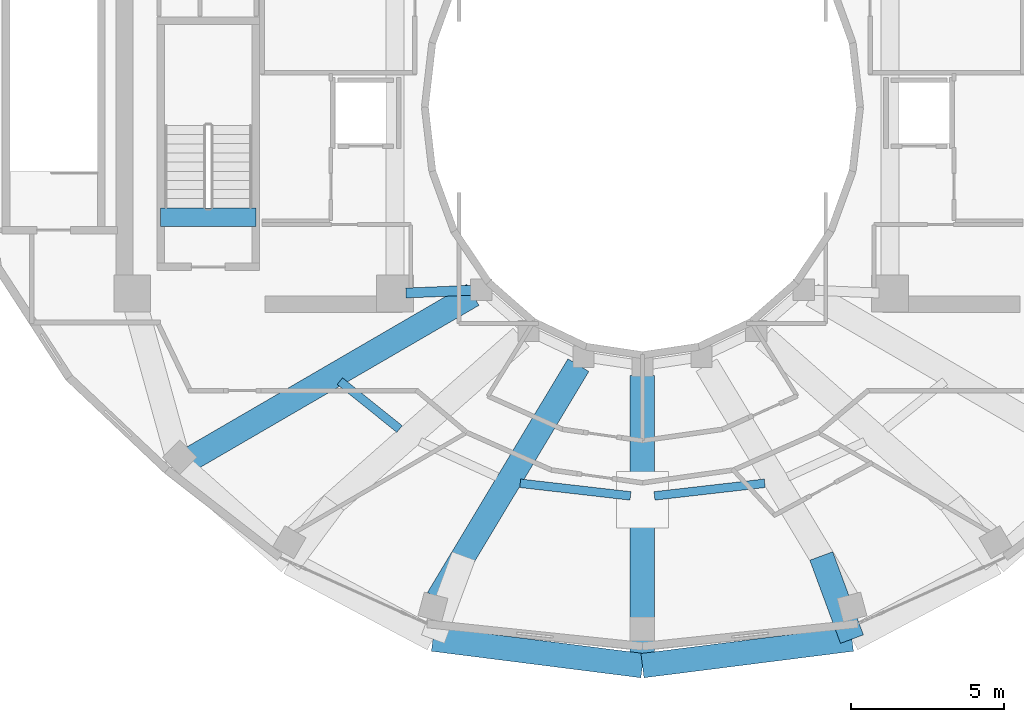
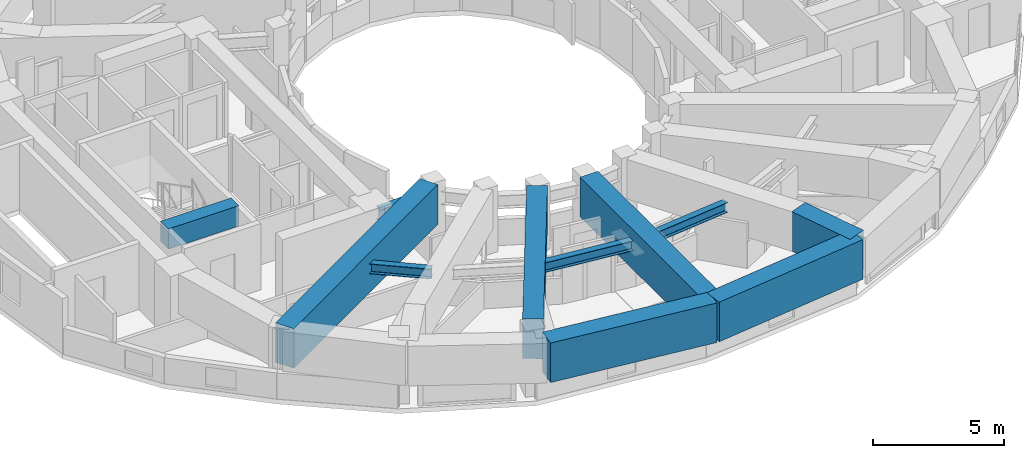
# One storey, part 3 of 20: 11 beams.
"""IFC4 building model written with IfcOpenShell, lengths in metres."""

from ifc_helpers import new_model, si_unit, direction, frame, origin, origin_2d, place, context, subcontext, project, spatial, rectangle, i_section, extrude, material, material_profile, profile_set, type_object, element, save


model = new_model("IFC4")

# Units and contexts
model_context = context("Model", 3, precision=1e-05, world=origin(), true_north=direction((0.0, 1.0)))
body_context = subcontext(model_context, "Body", "Model", "MODEL_VIEW")
ifc_project = project(units=[si_unit("LENGTHUNIT", "METRE"), si_unit("AREAUNIT", "SQUARE_METRE"), si_unit("VOLUMEUNIT", "CUBIC_METRE"), si_unit("PLANEANGLEUNIT", "RADIAN"), si_unit("MASSUNIT", "GRAM", prefix="KILO")], contexts=[model_context])

# Site, building, storey
site_placement = place(None, origin())
site = spatial("IfcSite", under=ifc_project, at=site_placement, CompositionType="ELEMENT")
building_placement = place(site_placement, origin())
building = spatial("IfcBuilding", under=site, at=building_placement, Name="Solvane Sanctuary Tower", CompositionType="ELEMENT")
storey_placement = place(building_placement, frame((0.0, 0.0, 217.10009765625)))
storey = spatial("IfcBuildingStorey", under=building, at=storey_placement, Name="L66", CompositionType="ELEMENT", Elevation=217.10009765625)

# Beams
ifc_material_1 = material(Name="Concrete C70/85", Category="concrete")
ifc_material_profile_1 = material_profile(ifc_material_1, rectangle(XDim=0.60009765625, YDim=0.949951171875, at=origin_2d()), Name="RC600X950")
ifc_profile_set_1 = profile_set([ifc_material_profile_1], Name="Concrete C70/85")
beam_type_1 = type_object("IfcBeamType", Name="Beam B-COUPLE RC600X950", PredefinedType="LINTEL", material=ifc_profile_set_1)
beam_1_placement = place(storey_placement, frame((16.22998046875, 19.399169921875, 2.625), z_axis=(1.0, 0.0, 0.0), x_axis=(0.0, 1.0, 0.0)))
element("IfcBeam", 1, at=beam_1_placement, inside=storey, type_object=beam_type_1, Name="L66 ST-1 Stair Floor Landing Trimmer", PredefinedType="LINTEL", context=body_context, shape_type="SweptSolid", body=[
    extrude(rectangle(XDim=0.60009765625, YDim=0.949951171875, at=origin_2d()), origin(), (0.0, 0.0, 1.0), 3.1201171875),
])
ifc_material_2 = material(Name="Steel ASTM A992 Grade 50", Category="steel")
ifc_material_profile_2 = material_profile(ifc_material_2, i_section(OverallWidth=0.324951171875, OverallDepth=0.615966796875, WebThickness=0.013916015625, FlangeThickness=0.021484375, FilletRadius=0.01611328125, at=origin_2d()), Name="W24X117")
ifc_profile_set_2 = profile_set([ifc_material_profile_2], Name="Steel ASTM A992 Grade 50")
beam_type_2 = type_object("IfcBeamType", Name="Beam B-RING-IN2 W24X117", PredefinedType="BEAM", material=ifc_profile_set_2)
beam_2_placement = place(storey_placement, frame((24.259765625, 16.9150390625, 2.289794921875), z_axis=(0.999129127803, 0.041725124022, 0.0), x_axis=(-0.041725124022, 0.999129127803, 0.0)))
element("IfcBeam", 2, at=beam_2_placement, inside=storey, type_object=beam_type_2, Name="L66 Inner Light-Well Ring Beam CW2-IC08", PredefinedType="BEAM", context=body_context, shape_type="SweptSolid", body=[
    extrude(i_section(OverallWidth=0.324951171875, OverallDepth=0.615966796875, WebThickness=0.013916015625, FlangeThickness=0.021484375, FilletRadius=0.01611328125, at=origin_2d()), origin(), (0.0, 0.0, 1.0), 2.1474609375),
])
ifc_material_profile_3 = material_profile(ifc_material_2, i_section(OverallWidth=0.280029296875, OverallDepth=0.462890625, WebThickness=0.0107421875, FlangeThickness=0.017333984375, FilletRadius=0.013916015625, at=origin_2d()), Name="W18X76")
ifc_profile_set_3 = profile_set([ifc_material_profile_3], Name="Steel ASTM A992 Grade 50")
beam_type_3 = type_object("IfcBeamType", Name="Beam B-SEC-JOIST W18X76", PredefinedType="JOIST", material=ifc_profile_set_3)
beam_3_placement = place(storey_placement, frame((22.09814453125, 14.03076171875, 2.366455078125), z_axis=(0.779649245724, -0.626216459095, 0.0), x_axis=(0.626216459095, 0.779649245724, 0.0)))
element("IfcBeam", 3, at=beam_3_placement, inside=storey, type_object=beam_type_3, Name="L66 Secondary Circumferential Joist 08-09", PredefinedType="JOIST", context=body_context, shape_type="SweptSolid", body=[
    extrude(i_section(OverallWidth=0.280029296875, OverallDepth=0.462890625, WebThickness=0.0107421875, FlangeThickness=0.017333984375, FilletRadius=0.013916015625, at=origin_2d()), origin(), (0.0, 0.0, 1.0), 2.5029296875),
])
for number, where, z_axis, x_axis, name in (
    (4, (27.998779296875, 10.688232421875, 2.366455078125), (0.993505131068, -0.113787321533, 0.0), (0.113787321533, 0.993505131068, 0.0), "L66 Secondary Circumferential Joist 10-11"),
    (5, (32.392333984375, 10.27490234375, 2.366455078125), (0.993505131068, 0.113787321533, 0.0), (-0.113787321533, 0.993505131068, 0.0), "L66 Secondary Circumferential Joist 11-12"),
):
    element("IfcBeam", number, at=place(storey_placement, frame(where, z_axis=z_axis, x_axis=x_axis)), inside=storey, type_object=beam_type_3, Name=name, PredefinedType="JOIST", context=body_context, shape_type="SweptSolid", body=[
        extrude(i_section(OverallWidth=0.280029296875, OverallDepth=0.462890625, WebThickness=0.0107421875, FlangeThickness=0.017333984375, FilletRadius=0.013916015625, at=origin_2d()), origin(), (0.0, 0.0, 1.0), 3.632568359375),
    ])
ifc_material_profile_4 = material_profile(ifc_material_1, rectangle(XDim=0.800048828125, YDim=1.85009765625, at=origin_2d()), Name="RC800X1850")
ifc_profile_set_4 = profile_set([ifc_material_profile_4], Name="Concrete C70/85")
beam_type_4 = type_object("IfcBeamType", Name="Beam B-XFER-BLK RC800X1850", PredefinedType="BEAM", material=ifc_profile_set_4)
beam_4_placement = place(storey_placement, frame((26.448486328125, 16.857177734375, 2.1748046875), z_axis=(-0.864487400302, -0.502654488411, 0.0), x_axis=(0.502654488411, -0.864487400302, 0.0)))
element("IfcBeam", 6, at=beam_4_placement, inside=storey, type_object=beam_type_4, Name="L66 Block-Shift Radial Transfer Girder 08A", PredefinedType="BEAM", context=body_context, shape_type="SweptSolid", body=[
    extrude(rectangle(XDim=0.800048828125, YDim=1.85009765625, at=origin_2d()), origin(), (0.0, 0.0, 1.0), 11.097412109375),
])
beam_5_placement = place(storey_placement, frame((29.904296875, 14.55419921875, 2.1748046875), z_axis=(-0.515336980031, -0.856987629439, 0.0), x_axis=(0.856987629439, -0.515336980031, 0.0)))
element("IfcBeam", 7, at=beam_5_placement, inside=storey, type_object=beam_type_4, Name="L66 Block-Shift Radial Transfer Girder 10A", PredefinedType="BEAM", context=body_context, shape_type="SweptSolid", body=[
    extrude(rectangle(XDim=0.800048828125, YDim=1.85009765625, at=origin_2d()), origin(), (0.0, 0.0, 1.0), 8.91748046875),
])
beam_6_placement = place(storey_placement, frame((32.0, 14.219970703125, 2.1748046875), z_axis=(0.0, -1.0, 0.0), x_axis=(1.0, 0.0, 0.0)))
element("IfcBeam", 8, at=beam_6_placement, inside=storey, type_object=beam_type_4, Name="L66 Block-Shift Radial Transfer Girder 11A", PredefinedType="BEAM", context=body_context, shape_type="SweptSolid", body=[
    extrude(rectangle(XDim=0.800048828125, YDim=1.85009765625, at=origin_2d()), origin(), (0.0, 0.0, 1.0), 9.5),
])
beam_7_placement = place(storey_placement, frame((37.851318359375, 8.308837890625, 2.1748046875), z_axis=(0.346524535931, -0.938040908489, 0.0), x_axis=(0.938040908489, 0.346524535931, 0.0)))
element("IfcBeam", 9, at=beam_7_placement, inside=storey, type_object=beam_type_4, Name="L66 Block-Shift Transfer Tie 12B", PredefinedType="BEAM", context=body_context, shape_type="SweptSolid", body=[
    extrude(rectangle(XDim=0.800048828125, YDim=1.85009765625, at=origin_2d()), origin(), (0.0, 0.0, 1.0), 2.89990234375),
])
for number, where, z_axis, x_axis, name in (
    (10, (25.143798828125, 5.588623046875, 2.1748046875), (0.992069427321, -0.125691095054, 0.0), (0.125691095054, 0.992069427321, 0.0), "L66 Perimeter Step Transfer Ring NTC10-NTC11"),
    (11, (32.0, 4.719970703125, 2.1748046875), (0.992069427321, 0.125691095054, 0.0), (-0.125691095054, 0.992069427321, 0.0), "L66 Perimeter Step Transfer Ring NTC11-NTC12"),
):
    element("IfcBeam", number, at=place(storey_placement, frame(where, z_axis=z_axis, x_axis=x_axis)), inside=storey, type_object=beam_type_4, Name=name, PredefinedType="BEAM", context=body_context, shape_type="SweptSolid", body=[
        extrude(rectangle(XDim=0.800048828125, YDim=1.85009765625, at=origin_2d()), origin(), (0.0, 0.0, 1.0), 6.910888671875),
    ])

save(model, "model.ifc")
